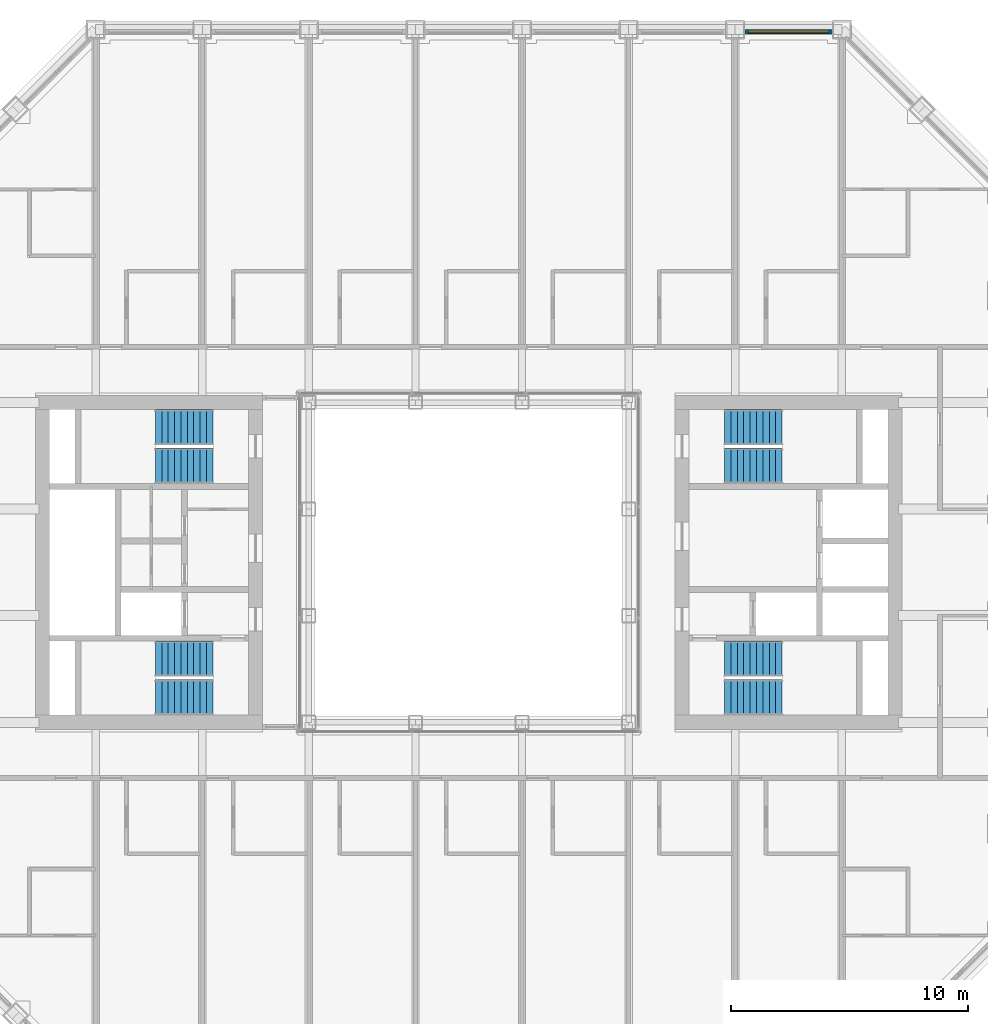
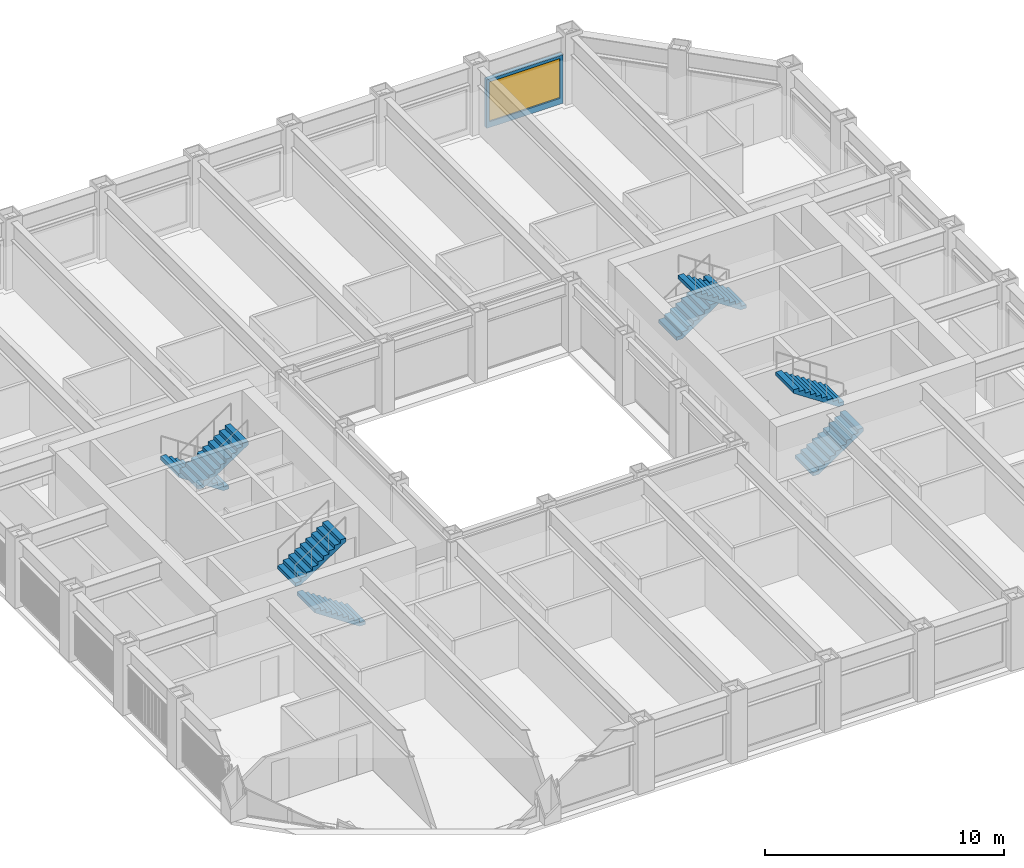
# One storey, part 15 of 18: 8 stair flights, 1 wall, 1 window, 1 opening, 4 elements without a shape of their own.
"""IFC4 building model written with IfcOpenShell, lengths in metres."""

from ifc_helpers import new_model, si_unit, direction, frame, frame_2d, origin, place, context, subcontext, project, spatial, polyline, rectangle, outline, extrude, material, layer, layer_set, type_object, element, fill, aggregate, save


model = new_model("IFC4")

# Units and contexts
model_context = context("Model", 3, precision=1e-05, world=origin(), true_north=direction((0.0, 1.0)))
body_context = subcontext(model_context, "Body", "Model", "MODEL_VIEW")
ifc_project = project(units=[si_unit("LENGTHUNIT", "METRE"), si_unit("AREAUNIT", "SQUARE_METRE"), si_unit("VOLUMEUNIT", "CUBIC_METRE"), si_unit("PLANEANGLEUNIT", "RADIAN"), si_unit("MASSUNIT", "GRAM", prefix="KILO")], contexts=[model_context])

# Site, building, storey
site_placement = place(None, origin())
site = spatial("IfcSite", under=ifc_project, at=site_placement, CompositionType="ELEMENT")
building_placement = place(site_placement, origin())
building = spatial("IfcBuilding", under=site, at=building_placement, Name="Msasa Ring Tower", CompositionType="ELEMENT")
storey_placement = place(building_placement, frame((0.0, 0.0, 122.0)))
storey = spatial("IfcBuildingStorey", under=building, at=storey_placement, Name="L31", CompositionType="ELEMENT", Elevation=122.0)

# Wall, opening, window
ifc_material_1 = material(Name="Terracotta rainscreen on blockwork", Category="masonry")
ifc_layer = layer(ifc_material_1, 0.199951171875)
ifc_layer_set = layer_set([ifc_layer], Name="FW1 TERRACOTTA-LINED INFILL BAY WALL 200")
wall_type = type_object("IfcWallType", Name="FW1 TERRACOTTA-LINED INFILL BAY WALL 200", PredefinedType="SOLIDWALL", material=ifc_layer_set)
wall_placement = place(storey_placement, frame((11.655029296875, 22.39990234375, 0.0), z_axis=(0.0, 0.0, 1.0), x_axis=(1.0, 0.0, 0.0)))
wall = element("IfcWall", 1, at=wall_placement, inside=storey, type_object=wall_type, Name="Infill bay wall N L31 24", PredefinedType="SOLIDWALL", context=body_context, shape_type="SweptSolid", body=[
    extrude(rectangle(XDim=3.68994140625, YDim=0.199951171875, at=frame_2d((1.844970703125, 0.0))), origin(), (0.0, 0.0, 1.0), 2.47900390625),
])
opening_placement = place(wall_placement, frame((0.14501953125, 0.0, 0.300048828125)))
opening = element("IfcOpeningElement", 2, at=opening_placement, cuts=wall, Name="Opening WN2", PredefinedType="OPENING", context=body_context, shape_type="SweptSolid", body=[
    extrude(rectangle(XDim=3.39990234375, YDim=2.029052734375, at=frame_2d((1.699951171875, 1.0146484375))), frame((0.0, 0.10986328125, 0.0), z_axis=(0.0, -1.0, 0.0), x_axis=(1.0, 0.0, 0.0)), (0.0, 0.0, 1.0), 0.219970703125),
])
ifc_material_2 = material(Name="Aluminium frame with clear glass", Category="aluminium")
window_type = type_object("IfcWindowType", Name="WN2 GUEST ROOM WINDOW 3400x2029", PartitioningType="SINGLE_PANEL", PredefinedType="WINDOW", material=ifc_material_2)
window_placement = place(opening_placement, origin())
window = element("IfcWindow", 3, at=window_placement, inside=storey, type_object=window_type, Name="Window N L31 24", OverallHeight=2.029052734375, OverallWidth=3.39990234375, PartitioningType="SINGLE_PANEL", PredefinedType="WINDOW", context=body_context, shape_type="SweptSolid", body=[
    extrude(rectangle(XDim=3.39990234375, YDim=2.029052734375, at=frame_2d((1.699951171875, 1.0146484375))), frame((0.0, 0.030029296875, 0.0), z_axis=(0.0, -1.0, 0.0), x_axis=(1.0, 0.0, 0.0)), (0.0, 0.0, 1.0), 0.06005859375),
])
fill(opening, window)

# Stair, stair flights
ifc_material_3 = material(Name="Concrete C40/50", Category="concrete")
stair_type = type_object("IfcStairType", Name="STC CORE STAIR 20 RISERS 180", PredefinedType="HALF_TURN_STAIR", material=ifc_material_3)
stair_1_placement = place(storey_placement, origin())
stair_1 = element("IfcStair", 4, at=stair_1_placement, inside=storey, type_object=stair_type, Name="Core stair SEA L31", PredefinedType="HALF_TURN_STAIR")
ifc_material_4 = material(Name="Concrete C40/50", Category="concrete")
stair_flight_type = type_object("IfcStairFlightType", Name="ST14 CORE STAIR FLIGHT 1500 10 RISERS 180", PredefinedType="STRAIGHT", material=ifc_material_4)
stair_flight_1_placement = place(storey_placement, frame((10.800048828125, -5.699951171875, 0.0), z_axis=(0.0, 0.0, 1.0), x_axis=(1.0, 0.0, 0.0)))
stair_flight_1 = element("IfcStairFlight", 5, at=stair_flight_1_placement, type_object=stair_flight_type, Name="SEA flight 1", NumberOfRisers=10, NumberOfTreads=9, PredefinedType="STRAIGHT", RiserHeight=0.18, TreadLength=0.27, context=body_context, shape_type="SweptSolid", body=[
    extrude(outline(polyline([(0.0, 0.0), (0.0, 0.179931640625), (0.27001953125, 0.179931640625), (0.27001953125, 0.360107421875), (0.5400390625, 0.360107421875), (0.5400390625, 0.5400390625), (0.81005859375, 0.5400390625), (0.81005859375, 0.719970703125), (1.080078125, 0.719970703125), (1.080078125, 0.89990234375), (1.35009765625, 0.89990234375), (1.35009765625, 1.080078125), (1.6201171875, 1.080078125), (1.6201171875, 1.260009765625), (1.889892578125, 1.260009765625), (1.889892578125, 1.43994140625), (2.159912109375, 1.43994140625), (2.159912109375, 1.6201171875), (2.429931640625, 1.6201171875), (2.429931640625, 1.800048828125), (2.429931640625, 1.43994140625), (0.270263671875, 0.0), (0.0, 0.0)])), frame((0.0, 0.75, 0.0), z_axis=(0.0, -1.0, 0.0), x_axis=(1.0, 0.0, 0.0)), (0.0, 0.0, 1.0), 1.5),
])
stair_flight_2_placement = place(storey_placement, frame((13.22998046875, -4.074951171875, 1.800048828125), z_axis=(0.0, 0.0, 1.0), x_axis=(-1.0, 0.0, 0.0)))
stair_flight_2 = element("IfcStairFlight", 6, at=stair_flight_2_placement, type_object=stair_flight_type, Name="SEA flight 2", NumberOfRisers=10, NumberOfTreads=9, PredefinedType="STRAIGHT", RiserHeight=0.18, TreadLength=0.27, context=body_context, shape_type="SweptSolid", body=[
    extrude(outline(polyline([(0.0, 0.0), (0.0, 0.179931640625), (0.27001953125, 0.179931640625), (0.27001953125, 0.360107421875), (0.5400390625, 0.360107421875), (0.5400390625, 0.5400390625), (0.81005859375, 0.5400390625), (0.81005859375, 0.719970703125), (1.080078125, 0.719970703125), (1.080078125, 0.89990234375), (1.35009765625, 0.89990234375), (1.35009765625, 1.080078125), (1.6201171875, 1.080078125), (1.6201171875, 1.260009765625), (1.889892578125, 1.260009765625), (1.889892578125, 1.43994140625), (2.159912109375, 1.43994140625), (2.159912109375, 1.6201171875), (2.429931640625, 1.6201171875), (2.429931640625, 1.800048828125), (2.429931640625, 1.43994140625), (0.270263671875, 0.0), (0.0, 0.0)])), frame((0.0, 0.75, 0.0), z_axis=(0.0, -1.0, 0.0), x_axis=(1.0, 0.0, 0.0)), (0.0, 0.0, 1.0), 1.5),
])
aggregate(stair_1, [stair_flight_1, stair_flight_2])

stair_2_placement = place(storey_placement, origin())
stair_2 = element("IfcStair", 7, at=stair_2_placement, inside=storey, type_object=stair_type, Name="Core stair SEB L31", PredefinedType="HALF_TURN_STAIR")
stair_flight_3_placement = place(storey_placement, frame((10.800048828125, 5.699951171875, 0.0), z_axis=(0.0, 0.0, 1.0), x_axis=(1.0, 0.0, 0.0)))
stair_flight_3 = element("IfcStairFlight", 8, at=stair_flight_3_placement, type_object=stair_flight_type, Name="SEB flight 1", NumberOfRisers=10, NumberOfTreads=9, PredefinedType="STRAIGHT", RiserHeight=0.18, TreadLength=0.27, context=body_context, shape_type="SweptSolid", body=[
    extrude(outline(polyline([(0.0, 0.0), (0.0, 0.179931640625), (0.27001953125, 0.179931640625), (0.27001953125, 0.360107421875), (0.5400390625, 0.360107421875), (0.5400390625, 0.5400390625), (0.81005859375, 0.5400390625), (0.81005859375, 0.719970703125), (1.080078125, 0.719970703125), (1.080078125, 0.89990234375), (1.35009765625, 0.89990234375), (1.35009765625, 1.080078125), (1.6201171875, 1.080078125), (1.6201171875, 1.260009765625), (1.889892578125, 1.260009765625), (1.889892578125, 1.43994140625), (2.159912109375, 1.43994140625), (2.159912109375, 1.6201171875), (2.429931640625, 1.6201171875), (2.429931640625, 1.800048828125), (2.429931640625, 1.43994140625), (0.270263671875, 0.0), (0.0, 0.0)])), frame((0.0, 0.75, 0.0), z_axis=(0.0, -1.0, 0.0), x_axis=(1.0, 0.0, 0.0)), (0.0, 0.0, 1.0), 1.5),
])
stair_flight_4_placement = place(storey_placement, frame((13.22998046875, 4.074951171875, 1.800048828125), z_axis=(0.0, 0.0, 1.0), x_axis=(-1.0, 0.0, 0.0)))
stair_flight_4 = element("IfcStairFlight", 9, at=stair_flight_4_placement, type_object=stair_flight_type, Name="SEB flight 2", NumberOfRisers=10, NumberOfTreads=9, PredefinedType="STRAIGHT", RiserHeight=0.18, TreadLength=0.27, context=body_context, shape_type="SweptSolid", body=[
    extrude(outline(polyline([(0.0, 0.0), (0.0, 0.179931640625), (0.27001953125, 0.179931640625), (0.27001953125, 0.360107421875), (0.5400390625, 0.360107421875), (0.5400390625, 0.5400390625), (0.81005859375, 0.5400390625), (0.81005859375, 0.719970703125), (1.080078125, 0.719970703125), (1.080078125, 0.89990234375), (1.35009765625, 0.89990234375), (1.35009765625, 1.080078125), (1.6201171875, 1.080078125), (1.6201171875, 1.260009765625), (1.889892578125, 1.260009765625), (1.889892578125, 1.43994140625), (2.159912109375, 1.43994140625), (2.159912109375, 1.6201171875), (2.429931640625, 1.6201171875), (2.429931640625, 1.800048828125), (2.429931640625, 1.43994140625), (0.270263671875, 0.0), (0.0, 0.0)])), frame((0.0, 0.75, 0.0), z_axis=(0.0, -1.0, 0.0), x_axis=(1.0, 0.0, 0.0)), (0.0, 0.0, 1.0), 1.5),
])
aggregate(stair_2, [stair_flight_3, stair_flight_4])

stair_3_placement = place(storey_placement, origin())
stair_3 = element("IfcStair", 10, at=stair_3_placement, inside=storey, type_object=stair_type, Name="Core stair SWA L31", PredefinedType="HALF_TURN_STAIR")
stair_flight_5_placement = place(storey_placement, frame((-10.800048828125, -5.699951171875, 0.0), z_axis=(0.0, 0.0, 1.0), x_axis=(-1.0, 0.0, 0.0)))
stair_flight_5 = element("IfcStairFlight", 11, at=stair_flight_5_placement, type_object=stair_flight_type, Name="SWA flight 1", NumberOfRisers=10, NumberOfTreads=9, PredefinedType="STRAIGHT", RiserHeight=0.18, TreadLength=0.27, context=body_context, shape_type="SweptSolid", body=[
    extrude(outline(polyline([(0.0, 0.0), (0.0, 0.179931640625), (0.27001953125, 0.179931640625), (0.27001953125, 0.360107421875), (0.5400390625, 0.360107421875), (0.5400390625, 0.5400390625), (0.81005859375, 0.5400390625), (0.81005859375, 0.719970703125), (1.080078125, 0.719970703125), (1.080078125, 0.89990234375), (1.35009765625, 0.89990234375), (1.35009765625, 1.080078125), (1.6201171875, 1.080078125), (1.6201171875, 1.260009765625), (1.889892578125, 1.260009765625), (1.889892578125, 1.43994140625), (2.159912109375, 1.43994140625), (2.159912109375, 1.6201171875), (2.429931640625, 1.6201171875), (2.429931640625, 1.800048828125), (2.429931640625, 1.43994140625), (0.270263671875, 0.0), (0.0, 0.0)])), frame((0.0, 0.75, 0.0), z_axis=(0.0, -1.0, 0.0), x_axis=(1.0, 0.0, 0.0)), (0.0, 0.0, 1.0), 1.5),
])
stair_flight_6_placement = place(storey_placement, frame((-13.22998046875, -4.074951171875, 1.800048828125), z_axis=(0.0, 0.0, 1.0), x_axis=(1.0, 0.0, 0.0)))
stair_flight_6 = element("IfcStairFlight", 12, at=stair_flight_6_placement, type_object=stair_flight_type, Name="SWA flight 2", NumberOfRisers=10, NumberOfTreads=9, PredefinedType="STRAIGHT", RiserHeight=0.18, TreadLength=0.27, context=body_context, shape_type="SweptSolid", body=[
    extrude(outline(polyline([(0.0, 0.0), (0.0, 0.179931640625), (0.27001953125, 0.179931640625), (0.27001953125, 0.360107421875), (0.5400390625, 0.360107421875), (0.5400390625, 0.5400390625), (0.81005859375, 0.5400390625), (0.81005859375, 0.719970703125), (1.080078125, 0.719970703125), (1.080078125, 0.89990234375), (1.35009765625, 0.89990234375), (1.35009765625, 1.080078125), (1.6201171875, 1.080078125), (1.6201171875, 1.260009765625), (1.889892578125, 1.260009765625), (1.889892578125, 1.43994140625), (2.159912109375, 1.43994140625), (2.159912109375, 1.6201171875), (2.429931640625, 1.6201171875), (2.429931640625, 1.800048828125), (2.429931640625, 1.43994140625), (0.270263671875, 0.0), (0.0, 0.0)])), frame((0.0, 0.75, 0.0), z_axis=(0.0, -1.0, 0.0), x_axis=(1.0, 0.0, 0.0)), (0.0, 0.0, 1.0), 1.5),
])
aggregate(stair_3, [stair_flight_5, stair_flight_6])

stair_4_placement = place(storey_placement, origin())
stair_4 = element("IfcStair", 13, at=stair_4_placement, inside=storey, type_object=stair_type, Name="Core stair SWB L31", PredefinedType="HALF_TURN_STAIR")
stair_flight_7_placement = place(storey_placement, frame((-10.800048828125, 5.699951171875, 0.0), z_axis=(0.0, 0.0, 1.0), x_axis=(-1.0, 0.0, 0.0)))
stair_flight_7 = element("IfcStairFlight", 14, at=stair_flight_7_placement, type_object=stair_flight_type, Name="SWB flight 1", NumberOfRisers=10, NumberOfTreads=9, PredefinedType="STRAIGHT", RiserHeight=0.18, TreadLength=0.27, context=body_context, shape_type="SweptSolid", body=[
    extrude(outline(polyline([(0.0, 0.0), (0.0, 0.179931640625), (0.27001953125, 0.179931640625), (0.27001953125, 0.360107421875), (0.5400390625, 0.360107421875), (0.5400390625, 0.5400390625), (0.81005859375, 0.5400390625), (0.81005859375, 0.719970703125), (1.080078125, 0.719970703125), (1.080078125, 0.89990234375), (1.35009765625, 0.89990234375), (1.35009765625, 1.080078125), (1.6201171875, 1.080078125), (1.6201171875, 1.260009765625), (1.889892578125, 1.260009765625), (1.889892578125, 1.43994140625), (2.159912109375, 1.43994140625), (2.159912109375, 1.6201171875), (2.429931640625, 1.6201171875), (2.429931640625, 1.800048828125), (2.429931640625, 1.43994140625), (0.270263671875, 0.0), (0.0, 0.0)])), frame((0.0, 0.75, 0.0), z_axis=(0.0, -1.0, 0.0), x_axis=(1.0, 0.0, 0.0)), (0.0, 0.0, 1.0), 1.5),
])
stair_flight_8_placement = place(storey_placement, frame((-13.22998046875, 4.074951171875, 1.800048828125), z_axis=(0.0, 0.0, 1.0), x_axis=(1.0, 0.0, 0.0)))
stair_flight_8 = element("IfcStairFlight", 15, at=stair_flight_8_placement, type_object=stair_flight_type, Name="SWB flight 2", NumberOfRisers=10, NumberOfTreads=9, PredefinedType="STRAIGHT", RiserHeight=0.18, TreadLength=0.27, context=body_context, shape_type="SweptSolid", body=[
    extrude(outline(polyline([(0.0, 0.0), (0.0, 0.179931640625), (0.27001953125, 0.179931640625), (0.27001953125, 0.360107421875), (0.5400390625, 0.360107421875), (0.5400390625, 0.5400390625), (0.81005859375, 0.5400390625), (0.81005859375, 0.719970703125), (1.080078125, 0.719970703125), (1.080078125, 0.89990234375), (1.35009765625, 0.89990234375), (1.35009765625, 1.080078125), (1.6201171875, 1.080078125), (1.6201171875, 1.260009765625), (1.889892578125, 1.260009765625), (1.889892578125, 1.43994140625), (2.159912109375, 1.43994140625), (2.159912109375, 1.6201171875), (2.429931640625, 1.6201171875), (2.429931640625, 1.800048828125), (2.429931640625, 1.43994140625), (0.270263671875, 0.0), (0.0, 0.0)])), frame((0.0, 0.75, 0.0), z_axis=(0.0, -1.0, 0.0), x_axis=(1.0, 0.0, 0.0)), (0.0, 0.0, 1.0), 1.5),
])
aggregate(stair_4, [stair_flight_7, stair_flight_8])

save(model, "model.ifc")
